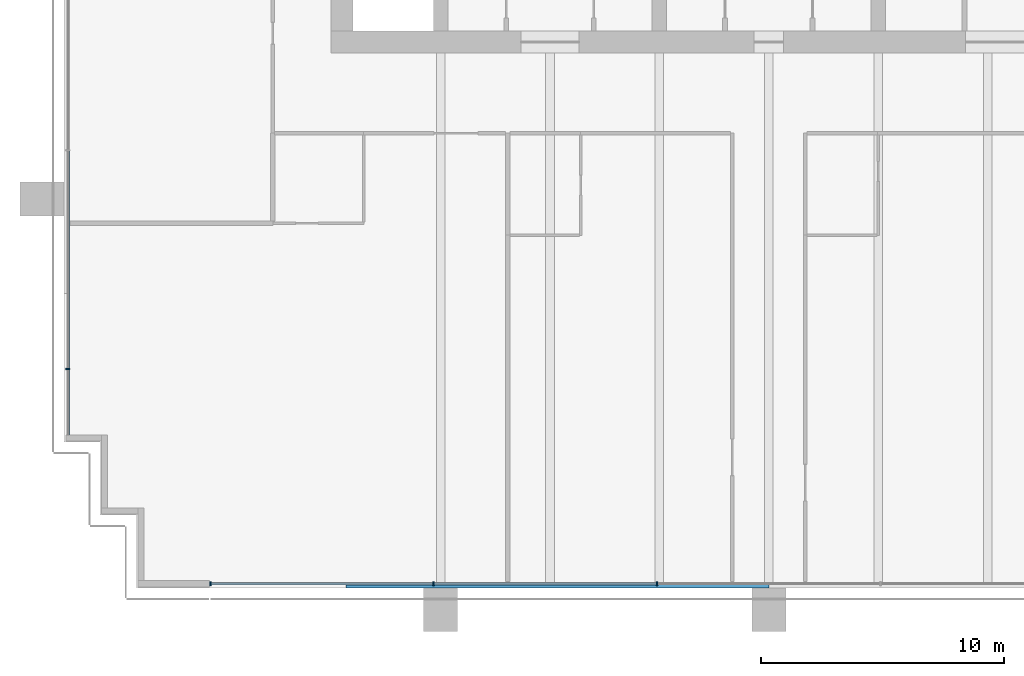
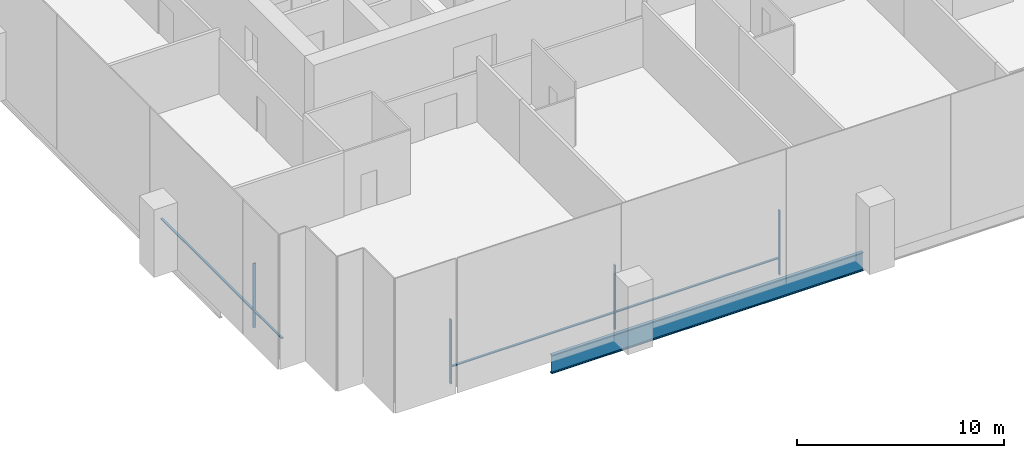
# One storey, part 2 of 16: 8 members, 1 beam, 2 elements without a shape of their own.
"""IFC4 building model written with IfcOpenShell, lengths in metres."""

from ifc_helpers import new_model, si_unit, direction, frame, origin, origin_2d, place, context, subcontext, project, spatial, rectangle, i_section, extrude, material, material_profile, profile_set, type_object, element, aggregate, save


model = new_model("IFC4")

# Units and contexts
model_context = context("Model", 3, precision=1e-05, world=origin(), true_north=direction((0.0, 1.0)))
body_context = subcontext(model_context, "Body", "Model", "MODEL_VIEW")
ifc_project = project(units=[si_unit("LENGTHUNIT", "METRE"), si_unit("AREAUNIT", "SQUARE_METRE"), si_unit("VOLUMEUNIT", "CUBIC_METRE"), si_unit("PLANEANGLEUNIT", "RADIAN"), si_unit("MASSUNIT", "GRAM", prefix="KILO")], contexts=[model_context])

# Site, building, storey
site_placement = place(None, origin())
site = spatial("IfcSite", under=ifc_project, at=site_placement, CompositionType="ELEMENT")
building_placement = place(site_placement, origin())
building = spatial("IfcBuilding", under=site, at=building_placement, Name="Rattan Terrace Tower", CompositionType="ELEMENT")
storey_placement = place(building_placement, frame((0.0, 0.0, 150.10009765625)))
storey = spatial("IfcBuildingStorey", under=building, at=storey_placement, Name="L34", CompositionType="ELEMENT", Elevation=150.10009765625)

# Curtain wall, member
ifc_material_1 = material(Name="Aluminium and glass", Category="aluminium")
curtain_wall_type = type_object("IfcCurtainWallType", Name="Facade Unitised Curtain Wall", PredefinedType="NOTDEFINED", material=ifc_material_1)
curtain_wall_1_placement = place(storey_placement, origin())
curtain_wall_1 = element("IfcCurtainWall", 1, at=curtain_wall_1_placement, inside=storey, type_object=curtain_wall_type, Name="Curtain wall L34-3", PredefinedType="NOTDEFINED")
ifc_material_2 = material(Name="Aluminium", Category="aluminium")
ifc_material_profile_1 = material_profile(ifc_material_2, rectangle(XDim=0.06005859375, YDim=0.159912109375, at=origin_2d()), Name="Aluminium 60x160")
ifc_profile_set_1 = profile_set([ifc_material_profile_1], Name="Aluminium")
member_type_1 = type_object("IfcMemberType", Name="Facade CW Mullion 60x160", PredefinedType="MULLION", material=ifc_profile_set_1)
member_1_placement = place(storey_placement, frame((-28.830078125, -20.5, 0.0), z_axis=(0.0, 0.0, 1.0), x_axis=(0.0, -1.0, 0.0)))
member_1 = element("IfcMember", 2, at=member_1_placement, type_object=member_type_1, Name="Mullion cwl-L34-003.4", PredefinedType="MULLION", context=body_context, shape_type="SweptSolid", body=[
    extrude(rectangle(XDim=0.06005859375, YDim=0.159912109375, at=origin_2d()), origin(), (0.0, 0.0, 1.0), 3.7998046875),
])

# Curtain wall, members
curtain_wall_2_placement = place(storey_placement, origin())
curtain_wall_2 = element("IfcCurtainWall", 3, at=curtain_wall_2_placement, inside=storey, type_object=curtain_wall_type, Name="Curtain wall L34-4", PredefinedType="NOTDEFINED")
member_2_placement = place(storey_placement, frame((-22.969970703125, -29.330078125, 0.0), z_axis=(0.0, 0.0, 1.0), x_axis=(1.0, 0.0, 0.0)))
member_2 = element("IfcMember", 4, at=member_2_placement, type_object=member_type_1, Name="Mullion cwl-L34-004.1", PredefinedType="MULLION", context=body_context, shape_type="SweptSolid", body=[
    extrude(rectangle(XDim=0.06005859375, YDim=0.159912109375, at=origin_2d()), origin(), (0.0, 0.0, 1.0), 3.7998046875),
])
member_3_placement = place(storey_placement, frame((-13.799072265625, -29.330078125, 0.0), z_axis=(0.0, 0.0, 1.0), x_axis=(1.0, 0.0, 0.0)))
member_3 = element("IfcMember", 5, at=member_3_placement, type_object=member_type_1, Name="Mullion cwl-L34-004.2", PredefinedType="MULLION", context=body_context, shape_type="SweptSolid", body=[
    extrude(rectangle(XDim=0.06005859375, YDim=0.159912109375, at=origin_2d()), origin(), (0.0, 0.0, 1.0), 3.7998046875),
])
member_4_placement = place(storey_placement, frame((-4.597900390625, -29.330078125, 0.0), z_axis=(0.0, 0.0, 1.0), x_axis=(1.0, 0.0, 0.0)))
member_4 = element("IfcMember", 6, at=member_4_placement, type_object=member_type_1, Name="Mullion cwl-L34-004.3", PredefinedType="MULLION", context=body_context, shape_type="SweptSolid", body=[
    extrude(rectangle(XDim=0.06005859375, YDim=0.159912109375, at=origin_2d()), origin(), (0.0, 0.0, 1.0), 3.7998046875),
])

# Member
ifc_material_3 = material(Name="Aluminium", Category="aluminium")
ifc_material_profile_2 = material_profile(ifc_material_3, rectangle(XDim=0.1201171875, YDim=0.06005859375, at=origin_2d()), Name="Aluminium 120x60")
ifc_profile_set_2 = profile_set([ifc_material_profile_2], Name="Aluminium")
member_type_2 = type_object("IfcMemberType", Name="Facade CW Transom 120x60", PredefinedType="USERDEFINED", material=ifc_profile_set_2)
member_5_placement = place(storey_placement, frame((-28.830078125, -11.530029296875, 1.0), z_axis=(0.0, -1.0, 0.0), x_axis=(1.0, 0.0, 0.0)))
member_5 = element("IfcMember", 7, at=member_5_placement, type_object=member_type_2, Name="Transom cwl-L34-003.3", ObjectType="TRANSOM", PredefinedType="USERDEFINED", context=body_context, shape_type="SweptSolid", body=[
    extrude(rectangle(XDim=0.1201171875, YDim=0.06005859375, at=origin_2d()), origin(), (0.0, 0.0, 1.0), 8.93994140625),
])

member_6_placement = place(storey_placement, frame((-28.830078125, -20.530029296875, 1.0), z_axis=(0.0, -1.0, 0.0), x_axis=(1.0, 0.0, 0.0)))
member_6 = element("IfcMember", 8, at=member_6_placement, type_object=member_type_2, Name="Transom cwl-L34-003.4", ObjectType="TRANSOM", PredefinedType="USERDEFINED", context=body_context, shape_type="SweptSolid", body=[
    extrude(rectangle(XDim=0.1201171875, YDim=0.06005859375, at=origin_2d()), origin(), (0.0, 0.0, 1.0), 2.675048828125),
])

aggregate(curtain_wall_1, [member_1, member_5, member_6])

member_7_placement = place(storey_placement, frame((-22.93994140625, -29.330078125, 1.0), z_axis=(1.0, 0.0, 0.0), x_axis=(0.0, 1.0, 0.0)))
member_7 = element("IfcMember", 9, at=member_7_placement, type_object=member_type_2, Name="Transom cwl-L34-004.1", ObjectType="TRANSOM", PredefinedType="USERDEFINED", context=body_context, shape_type="SweptSolid", body=[
    extrude(rectangle(XDim=0.1201171875, YDim=0.06005859375, at=origin_2d()), origin(), (0.0, 0.0, 1.0), 9.11083984375),
])

member_8_placement = place(storey_placement, frame((-13.76904296875, -29.330078125, 1.0), z_axis=(1.0, 0.0, 0.0), x_axis=(0.0, 1.0, 0.0)))
member_8 = element("IfcMember", 10, at=member_8_placement, type_object=member_type_2, Name="Transom cwl-L34-004.2", ObjectType="TRANSOM", PredefinedType="USERDEFINED", context=body_context, shape_type="SweptSolid", body=[
    extrude(rectangle(XDim=0.1201171875, YDim=0.06005859375, at=origin_2d()), origin(), (0.0, 0.0, 1.0), 9.14111328125),
])

aggregate(curtain_wall_2, [member_2, member_3, member_4, member_7, member_8])

# Beam
ifc_material_4 = material(Name="Steel S460", Category="steel")
ifc_material_profile_3 = material_profile(ifc_material_4, i_section(OverallWidth=0.179931640625, OverallDepth=1.10009765625, WebThickness=0.01611328125, FlangeThickness=0.050048828125, at=origin_2d()), Name="PG 1100x180-16-50")
ifc_profile_set_3 = profile_set([ifc_material_profile_3], Name="Steel S460")
beam_type = type_object("IfcBeamType", Name="Frame edge girder PG 1100x180-16-50", PredefinedType="SPANDREL", material=ifc_profile_set_3)
beam_placement = place(storey_placement, frame((-17.39990234375, -29.409912109375, -0.75), z_axis=(1.0, 0.0, 0.0), x_axis=(0.0, 1.0, 0.0)))
element("IfcBeam", 11, at=beam_placement, inside=storey, type_object=beam_type, Name="gdr-L34-001", PredefinedType="SPANDREL", context=body_context, shape_type="SweptSolid", body=[
    extrude(i_section(OverallWidth=0.179931640625, OverallDepth=1.10009765625, WebThickness=0.01611328125, FlangeThickness=0.050048828125, at=origin_2d()), origin(), (0.0, 0.0, 1.0), 17.39990234375),
])

save(model, "model.ifc")
